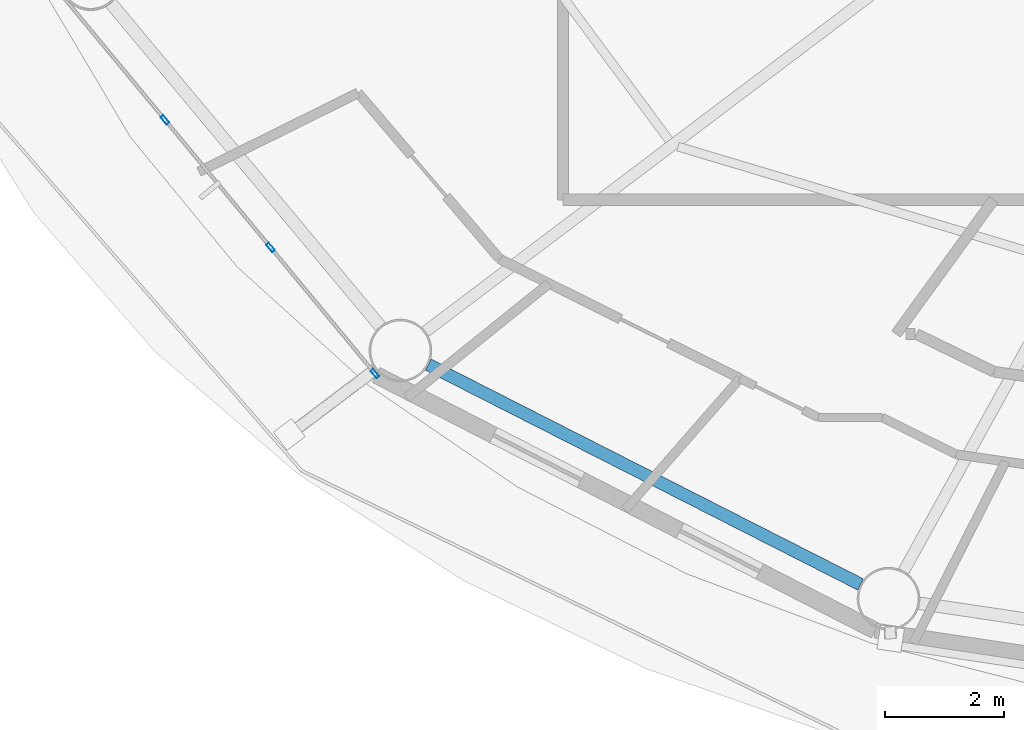
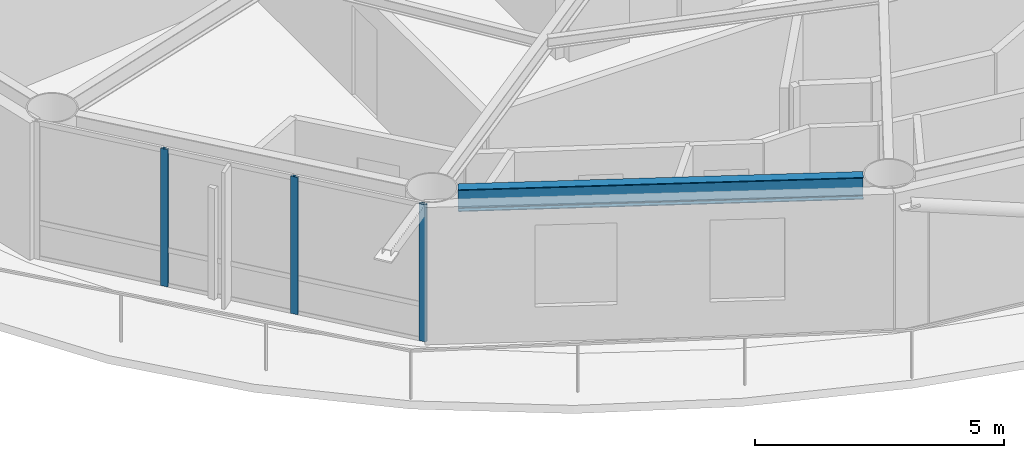
# One storey, part 2 of 23: 3 members, 1 beam, 1 element without a shape of its own.
"""IFC4 building model written with IfcOpenShell, lengths in metres."""

from ifc_helpers import new_model, si_unit, direction, frame, origin, origin_2d, place, context, subcontext, project, spatial, hollow_rectangle, i_section, extrude, material, layer, layer_set, material_profile, profile_set, type_object, element, aggregate, save


model = new_model("IFC4")

# Units and contexts
model_context = context("Model", 3, precision=1e-05, world=origin(), true_north=direction((0.0, 1.0)))
body_context = subcontext(model_context, "Body", "Model", "MODEL_VIEW")
ifc_project = project(units=[si_unit("LENGTHUNIT", "METRE"), si_unit("AREAUNIT", "SQUARE_METRE"), si_unit("VOLUMEUNIT", "CUBIC_METRE"), si_unit("PLANEANGLEUNIT", "RADIAN"), si_unit("MASSUNIT", "GRAM", prefix="KILO")], contexts=[model_context])

# Site, building, storey
site_placement = place(None, origin())
site = spatial("IfcSite", under=ifc_project, at=site_placement, CompositionType="ELEMENT")
building_placement = place(site_placement, origin())
building = spatial("IfcBuilding", under=site, at=building_placement, Name="Sarneth Arch Tower", CompositionType="ELEMENT")
storey_placement = place(building_placement, frame((0.0, 0.0, 246.0)))
storey = spatial("IfcBuildingStorey", under=building, at=storey_placement, Name="L63", CompositionType="ELEMENT", Elevation=246.0)

# Beam
ifc_material_1 = material(Name="Steel S355", Category="steel")
ifc_material_profile_1 = material_profile(ifc_material_1, i_section(OverallWidth=0.2109375, OverallDepth=0.5390625, WebThickness=0.01171875, FlangeThickness=0.018798828125, FilletRadius=0.01806640625, at=origin_2d()), Name="W530x109")
ifc_profile_set_1 = profile_set([ifc_material_profile_1], Name="Steel S355")
beam_type = type_object("IfcBeamType", Name="BM-RAD-530B", PredefinedType="BEAM", material=ifc_profile_set_1)
beam_placement = place(storey_placement, frame((30.49267578125, 28.185546875, 3.090576171875), z_axis=(0.891368271482, -0.453279830342, 0.0), x_axis=(0.453279830342, 0.891368271482, 0.0)))
element("IfcBeam", 1, at=beam_placement, inside=storey, type_object=beam_type, Name="L63 Perimeter spandrel beam 11", PredefinedType="BEAM", context=body_context, shape_type="SweptSolid", body=[
    extrude(i_section(OverallWidth=0.2109375, OverallDepth=0.5390625, WebThickness=0.01171875, FlangeThickness=0.018798828125, FilletRadius=0.01806640625, at=origin_2d()), origin(), (0.0, 0.0, 1.0), 8.1318359375),
])

# Curtain wall, members
ifc_material_2 = material(Name="Anodised aluminium Type AA25 and solar-control low-e laminated IGU", Category="aluminium")
ifc_layer = layer(ifc_material_2, 0.179931640625)
ifc_layer_set = layer_set([ifc_layer], Name="Anodised aluminium Type AA25 and solar-control low-e laminated IGU")
curtain_wall_type = type_object("IfcCurtainWallType", Name="CW-RES-HIGH", PredefinedType="NOTDEFINED", material=ifc_layer_set)
curtain_wall_placement = place(storey_placement, origin())
curtain_wall = element("IfcCurtainWall", 2, at=curtain_wall_placement, inside=storey, type_object=curtain_wall_type, Name="L63 Unitised curtain wall facet 10", PredefinedType="NOTDEFINED")
ifc_material_3 = material(Name="Anodised Aluminium 6063-T6", Category="aluminium")
ifc_material_profile_2 = material_profile(ifc_material_3, hollow_rectangle(XDim=0.06005859375, YDim=0.159912109375, WallThickness=0.00390625, at=origin_2d()), Name="AL-MULL-160x60x4")
ifc_profile_set_2 = profile_set([ifc_material_profile_2], Name="Anodised Aluminium 6063-T6")
member_type = type_object("IfcMemberType", Name="CW-MULLION", PredefinedType="MULLION", material=ifc_profile_set_2)
member_1_placement = place(storey_placement, frame((26.07666015625, 32.29150390625, 0.0), z_axis=(0.0, 0.0, 1.0), x_axis=(0.770359245933, 0.637610094184, 0.0)))
member_1 = element("IfcMember", 3, at=member_1_placement, type_object=member_type, Name="CW-SYS-6 mullion 2", PredefinedType="MULLION", context=body_context, shape_type="SweptSolid", body=[
    extrude(hollow_rectangle(XDim=0.06005859375, YDim=0.159912109375, WallThickness=0.00390625, at=origin_2d()), origin(), (0.0, 0.0, 1.0), 3.360107421875),
])
member_2_placement = place(storey_placement, frame((27.84716796875, 30.15234375, 0.0), z_axis=(0.0, 0.0, 1.0), x_axis=(0.770359245933, 0.637610094184, 0.0)))
member_2 = element("IfcMember", 4, at=member_2_placement, type_object=member_type, Name="CW-SYS-6 mullion 3", PredefinedType="MULLION", context=body_context, shape_type="SweptSolid", body=[
    extrude(hollow_rectangle(XDim=0.06005859375, YDim=0.159912109375, WallThickness=0.00390625, at=origin_2d()), origin(), (0.0, 0.0, 1.0), 3.360107421875),
])
member_3_placement = place(storey_placement, frame((29.598388671875, 28.03662109375, 0.0), z_axis=(0.0, 0.0, 1.0), x_axis=(0.770359245933, 0.637610094184, 0.0)))
member_3 = element("IfcMember", 5, at=member_3_placement, type_object=member_type, Name="CW-SYS-6 mullion 4", PredefinedType="MULLION", context=body_context, shape_type="SweptSolid", body=[
    extrude(hollow_rectangle(XDim=0.06005859375, YDim=0.159912109375, WallThickness=0.00390625, at=origin_2d()), origin(), (0.0, 0.0, 1.0), 3.360107421875),
])
aggregate(curtain_wall, [member_1, member_2, member_3])

save(model, "model.ifc")
